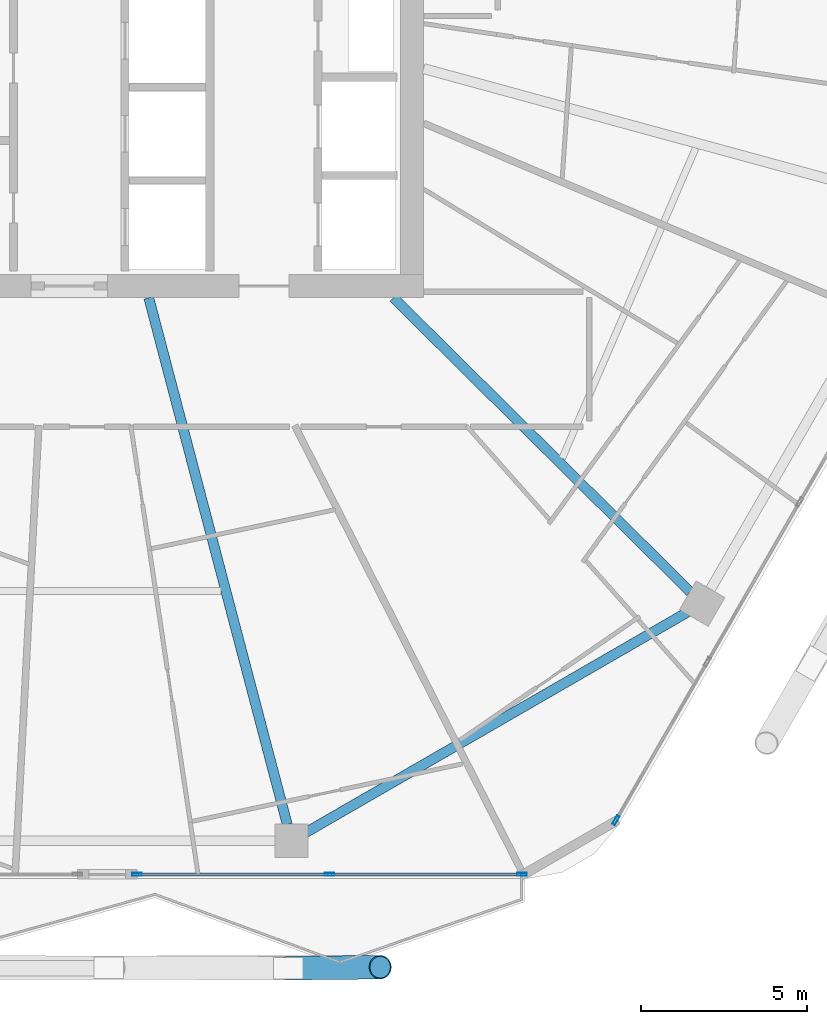
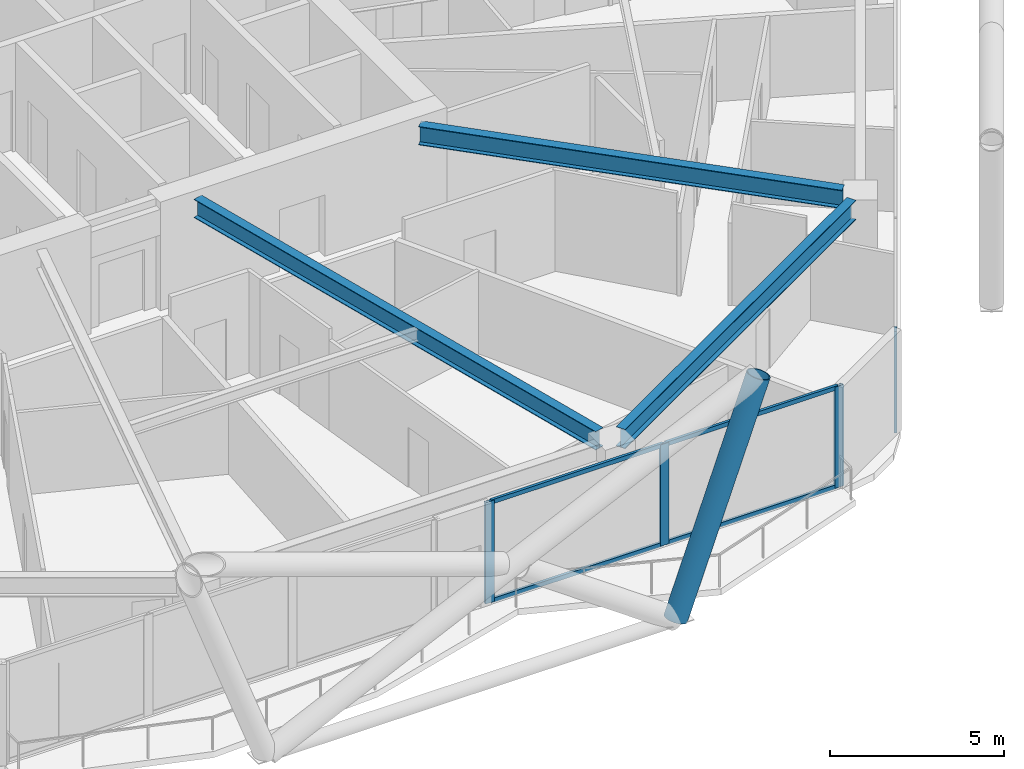
# One storey, part 8 of 29: 9 members, 3 beams, 2 elements without a shape of their own.
"""IFC4 building model written with IfcOpenShell, lengths in metres."""

import ifcopenshell
import ifcopenshell.guid

model = None  # the IFC model being written
_history = None  # IfcOwnerHistory: only IFC2X3 demands one
_inside = {}  # id of a spatial element -> (the spatial element, [elements in it])
_under = {}  # id of a project, library or spatial element -> (it, [spatial elements below it])
_declared = {}  # id of a project -> (the project, [libraries it declares])
_typed = {}  # id of a type object -> (the type object, [elements of that type])
_made_of = {}  # id of a material, layer set ... -> (it, [elements and type objects made of it])


def new_model(schema):
    """Start an empty IFC model of exactly this schema.

    Asked for "IFC4X3", IfcOpenShell would pick the latest addendum, in which some entities
    have other attributes; the version numbers below select the first issue.
    IFC2X3 requires an IfcOwnerHistory on every rooted entity: one is made here for all.
    """
    global model, _history
    if schema == "IFC4X3":
        model = ifcopenshell.file(schema_version=(4, 3, 0, 0))
    else:
        model = ifcopenshell.file(schema=schema)
    _inside.clear()
    _under.clear()
    _declared.clear()
    _typed.clear()
    _made_of.clear()
    _history = None
    if model.schema == "IFC2X3":
        org = make("IfcOrganization", Name="unknown")
        user = make(
            "IfcPersonAndOrganization",
            ThePerson=make("IfcPerson", FamilyName="unknown"),
            TheOrganization=org,
        )
        app = make(
            "IfcApplication",
            ApplicationDeveloper=org,
            Version="unknown",
            ApplicationFullName="unknown",
            ApplicationIdentifier="unknown",
        )
        _history = make(
            "IfcOwnerHistory",
            OwningUser=user,
            OwningApplication=app,
            ChangeAction="ADDED",
            CreationDate=0,
        )
    return model


def make(cls, **values):
    """One entity of the class cls with the attributes given. An attribute that is None is left unset."""
    return model.create_entity(
        cls, **{name: value for name, value in values.items() if value is not None}
    )


def rooted(cls, **values):
    """An entity with a GlobalId (a new one), such as an element, a storey or a relation."""
    return make(cls, GlobalId=ifcopenshell.guid.new(), OwnerHistory=_history, **values)


def si_unit(unit_type, name, prefix=None):
    """IfcSIUnit, for example si_unit("LENGTHUNIT", "METRE", prefix="MILLI")."""
    return make("IfcSIUnit", UnitType=unit_type, Prefix=prefix, Name=name)


def assignment(units):
    """IfcUnitAssignment: the units of a project."""
    return None if units is None else make("IfcUnitAssignment", Units=units)


def point(xyz):
    """IfcCartesianPoint."""
    return None if xyz is None else make("IfcCartesianPoint", Coordinates=xyz)


def direction(xyz):
    """IfcDirection."""
    return None if xyz is None else make("IfcDirection", DirectionRatios=xyz)


def frame(location, z_axis=None, x_axis=None):
    """IfcAxis2Placement3D, a coordinate frame: its origin and axes. An axis left out is left unset."""
    return make(
        "IfcAxis2Placement3D",
        Location=point(location),
        Axis=direction(z_axis),
        RefDirection=direction(x_axis),
    )


def frame_2d(location, x_axis=None):
    """IfcAxis2Placement2D, a coordinate frame in the plane: its origin and x axis."""
    return make(
        "IfcAxis2Placement2D", Location=point(location), RefDirection=direction(x_axis)
    )


def origin():
    """The frame at (0, 0, 0) with its axes left unset."""
    return frame((0.0, 0.0, 0.0))


def origin_2d():
    """The frame at (0, 0) in the plane with its x axis left unset."""
    return frame_2d((0.0, 0.0))


def place(relative_to, where):
    """IfcLocalPlacement: puts the frame where relative to a parent placement (None: the world)."""
    return make(
        "IfcLocalPlacement", PlacementRelTo=relative_to, RelativePlacement=where
    )


def context(
    kind, dimensions, precision=None, world=None, true_north=None, identifier=None
):
    """IfcGeometricRepresentationContext, for example the 3D "Model" context."""
    return make(
        "IfcGeometricRepresentationContext",
        ContextIdentifier=identifier,
        ContextType=kind,
        CoordinateSpaceDimension=dimensions,
        Precision=precision,
        WorldCoordinateSystem=world,
        TrueNorth=true_north,
    )


def subcontext(parent, identifier, kind, view, scale=None):
    """IfcGeometricRepresentationSubContext, for example "Body" below "Model"."""
    return make(
        "IfcGeometricRepresentationSubContext",
        ContextIdentifier=identifier,
        ContextType=kind,
        ParentContext=parent,
        TargetScale=scale,
        TargetView=view,
    )


def project(units=None, contexts=None):
    """IfcProject with its units and contexts."""
    return rooted(
        "IfcProject",
        Name="project",
        RepresentationContexts=contexts,
        UnitsInContext=assignment(units),
    )


def spatial(cls, under=None, at=None, **own):
    """A site, building, storey or space (cls), placed at a placement, below another one or the project."""
    s = rooted(cls, ObjectPlacement=at, **own)
    if under is not None:
        _under.setdefault(under.id(), (under, []))[1].append(s)
    return s


def profile(cls, at=None, kind="AREA", **sizes):
    """A parametric profile (cls). Its sizes go by their IFC names, for example OverallWidth=200.0."""
    return make(cls, ProfileType=kind, Position=at, **sizes)


def hollow_rectangle(**sizes):
    """IfcRectangleHollowProfileDef."""
    return profile("IfcRectangleHollowProfileDef", **sizes)


def hollow_circle(**sizes):
    """IfcCircleHollowProfileDef."""
    return profile("IfcCircleHollowProfileDef", **sizes)


def i_section(**sizes):
    """IfcIShapeProfileDef."""
    return profile("IfcIShapeProfileDef", **sizes)


def extrude(swept, where, along, depth):
    """IfcExtrudedAreaSolid: the profile swept, set in the frame where, extruded along a direction by depth."""
    return make(
        "IfcExtrudedAreaSolid",
        SweptArea=swept,
        Position=where,
        ExtrudedDirection=direction(along),
        Depth=depth,
    )


def shape(context_of_items, identifier, shape_type, items):
    """IfcShapeRepresentation: the items that make up one representation, for example the "Body"."""
    return make(
        "IfcShapeRepresentation",
        ContextOfItems=context_of_items,
        RepresentationIdentifier=identifier,
        RepresentationType=shape_type,
        Items=items,
    )


def material(Name=None, Category=None):
    """IfcMaterial."""
    return make("IfcMaterial", Name=Name, Category=Category)


def material_profile(
    of_material, cross_section, Name=None, Category=None, Priority=None
):
    """IfcMaterialProfile: a cross section and its material."""
    return make(
        "IfcMaterialProfile",
        Name=Name,
        Material=of_material,
        Profile=cross_section,
        Priority=Priority,
        Category=Category,
    )


def profile_set(profiles, Name=None, composite=None):
    """IfcMaterialProfileSet."""
    return make(
        "IfcMaterialProfileSet",
        Name=Name,
        MaterialProfiles=profiles,
        CompositeProfile=composite,
    )


def made_of(thing, what):
    """Note that an element or type object is made of a material, layer set ...; save() writes the relation."""
    if what is not None:
        _made_of.setdefault(what.id(), (what, []))[1].append(thing)
    return thing


def type_object(cls, material=None, **own):
    """A type object (cls), such as IfcWallType, which elements share."""
    return made_of(rooted(cls, **own), material)


def element(
    cls,
    number,
    at=None,
    inside=None,
    cuts=None,
    type_object=None,
    material=None,
    context=None,
    identifier="Body",
    shape_type=None,
    held_by="IfcProductDefinitionShape",
    body=None,
    shapes=None,
    **own,
):
    """One element of the class cls, such as IfcWall. Its Tag is "e" and its number.

    at: its placement. inside: the storey or other place that contains it. cuts: it is an
    opening in that element (IfcRelVoidsElement). A single representation is given by context,
    identifier, shape_type and body (its items); several are given by shapes. held_by: the class
    of the entity that holds the representations. save() writes the other relations.
    """
    e = rooted(cls, Tag="e%d" % number, ObjectPlacement=at, **own)
    if body is not None:
        shapes = [shape(context, identifier, shape_type, body)]
    if shapes is not None:
        e.Representation = make(held_by, Representations=shapes)
    if inside is not None:
        _inside.setdefault(inside.id(), (inside, []))[1].append(e)
    if cuts is not None:
        rooted(
            "IfcRelVoidsElement", RelatingBuildingElement=cuts, RelatedOpeningElement=e
        )
    if type_object is not None:
        _typed.setdefault(type_object.id(), (type_object, []))[1].append(e)
    return made_of(e, material)


def aggregate(whole, parts):
    """IfcRelAggregates: a whole, such as a stair, and the parts it consists of."""
    return rooted("IfcRelAggregates", RelatingObject=whole, RelatedObjects=parts)


def save(model, path):
    """Write the relations noted so far, then the file.

    IfcRelAggregates (storeys below a building ...), IfcRelContainedInSpatialStructure (elements
    in a storey), IfcRelDefinesByType, IfcRelAssociatesMaterial and IfcRelDeclares: one each for
    every whole, place, type object, material and project.
    """
    for whole, parts in _under.values():
        aggregate(whole, parts)
    for where, things in _inside.values():
        rooted(
            "IfcRelContainedInSpatialStructure",
            RelatedElements=things,
            RelatingStructure=where,
        )
    for kind, things in _typed.values():
        rooted("IfcRelDefinesByType", RelatedObjects=things, RelatingType=kind)
    for what, things in _made_of.values():
        rooted("IfcRelAssociatesMaterial", RelatedObjects=things, RelatingMaterial=what)
    for by, libraries in _declared.values():
        rooted("IfcRelDeclares", RelatingContext=by, RelatedDefinitions=libraries)
    model.write(path)


model = new_model("IFC4")

# Units and contexts
model_context = context("Model", 3, precision=1e-05, world=origin(), true_north=direction((0.0, 1.0)))
body_context = subcontext(model_context, "Body", "Model", "MODEL_VIEW")
ifc_project = project(units=[si_unit("LENGTHUNIT", "METRE"), si_unit("AREAUNIT", "SQUARE_METRE"), si_unit("VOLUMEUNIT", "CUBIC_METRE"), si_unit("PLANEANGLEUNIT", "RADIAN"), si_unit("MASSUNIT", "GRAM", prefix="KILO")], contexts=[model_context])

# Site, building, storey
site_placement = place(None, origin())
site = spatial("IfcSite", under=ifc_project, at=site_placement, CompositionType="ELEMENT")
building_placement = place(site_placement, origin())
building = spatial("IfcBuilding", under=site, at=building_placement, Name="Zuhravey Tower", CompositionType="ELEMENT")
storey_placement = place(building_placement, frame((0.0, 0.0, 184.60009765625)))
storey = spatial("IfcBuildingStorey", under=building, at=storey_placement, Name="L46", CompositionType="ELEMENT", Elevation=184.60009765625)

# Curtain wall, member
ifc_material_1 = material(Name="Thermally broken anodised aluminium", Category="aluminium")
curtain_wall_type = type_object("IfcCurtainWallType", Name="Zone 1-2 Residential Curtain Wall CW3", PredefinedType="NOTDEFINED", material=ifc_material_1)
curtain_wall_1_placement = place(storey_placement, origin())
curtain_wall_1 = element("IfcCurtainWall", 1, at=curtain_wall_1_placement, inside=storey, type_object=curtain_wall_type, Name="L46 CW3 CW-L46-F6-1", PredefinedType="NOTDEFINED")
ifc_material_2 = material(Name="Anodised aluminium", Category="aluminium")
ifc_material_profile_1 = material_profile(ifc_material_2, hollow_rectangle(XDim=0.090087890625, YDim=0.284912109375, WallThickness=0.0048828125, at=origin_2d()), Name="ALU-RHS-90x285x5")
ifc_profile_set_1 = profile_set([ifc_material_profile_1], Name="Anodised aluminium")
member_type_1 = type_object("IfcMemberType", Name="Curtain-Wall Mullion 90x180", PredefinedType="MULLION", material=ifc_profile_set_1)
member_1_placement = place(storey_placement, frame((52.63330078125, 6.443359375, 0.0), z_axis=(0.0, 0.0, 1.0), x_axis=(0.866025138215, -0.500000459979, 0.0)))
member_1 = element("IfcMember", 2, at=member_1_placement, type_object=member_type_1, Name="CW3 mullion 6", PredefinedType="MULLION", context=body_context, shape_type="SweptSolid", body=[
    extrude(hollow_rectangle(XDim=0.090087890625, YDim=0.284912109375, WallThickness=0.0048828125, at=origin_2d()), origin(), (0.0, 0.0, 1.0), 3.5498046875),
])
aggregate(curtain_wall_1, [member_1])

# Curtain wall, members
curtain_wall_2_placement = place(storey_placement, origin())
curtain_wall_2 = element("IfcCurtainWall", 3, at=curtain_wall_2_placement, inside=storey, type_object=curtain_wall_type, Name="L46 CW3 CW-L46-F5-1", PredefinedType="NOTDEFINED")
member_2_placement = place(storey_placement, frame((49.816162109375, 4.81689453125, 0.0), z_axis=(0.0, 0.0, 1.0), x_axis=(0.0, -1.0, 0.0)))
member_2 = element("IfcMember", 4, at=member_2_placement, type_object=member_type_1, Name="CW3 mullion 1", PredefinedType="MULLION", context=body_context, shape_type="SweptSolid", body=[
    extrude(hollow_rectangle(XDim=0.090087890625, YDim=0.284912109375, WallThickness=0.0048828125, at=origin_2d()), origin(), (0.0, 0.0, 1.0), 3.5498046875),
])
member_3_placement = place(storey_placement, frame((44.02685546875, 4.81689453125, 0.0), z_axis=(0.0, 0.0, 1.0), x_axis=(0.0, -1.0, 0.0)))
member_3 = element("IfcMember", 5, at=member_3_placement, type_object=member_type_1, Name="CW3 mullion 2", PredefinedType="MULLION", context=body_context, shape_type="SweptSolid", body=[
    extrude(hollow_rectangle(XDim=0.090087890625, YDim=0.284912109375, WallThickness=0.0048828125, at=origin_2d()), origin(), (0.0, 0.0, 1.0), 3.5498046875),
])
member_4_placement = place(storey_placement, frame((38.23779296875, 4.81689453125, 0.0), z_axis=(0.0, 0.0, 1.0), x_axis=(0.0, -1.0, 0.0)))
member_4 = element("IfcMember", 6, at=member_4_placement, type_object=member_type_1, Name="CW3 mullion 3", PredefinedType="MULLION", context=body_context, shape_type="SweptSolid", body=[
    extrude(hollow_rectangle(XDim=0.090087890625, YDim=0.284912109375, WallThickness=0.0048828125, at=origin_2d()), origin(), (0.0, 0.0, 1.0), 3.5498046875),
])
ifc_material_profile_2 = material_profile(ifc_material_2, hollow_rectangle(XDim=0.090087890625, YDim=0.14990234375, WallThickness=0.0048828125, at=origin_2d()), Name="ALU-RHS-90x150x5")
ifc_profile_set_2 = profile_set([ifc_material_profile_2], Name="Anodised aluminium")
member_type_2 = type_object("IfcMemberType", Name="Curtain-Wall Transom 90x150", PredefinedType="USERDEFINED", material=ifc_profile_set_2)
member_5_placement = place(storey_placement, frame((49.77099609375, 4.81689453125, 0.044921875), z_axis=(-1.0, 0.0, 0.0), x_axis=(0.0, -1.0, 0.0)))
member_5 = element("IfcMember", 7, at=member_5_placement, type_object=member_type_2, Name="CW3 transom 1.1", ObjectType="TRANSOM", PredefinedType="USERDEFINED", context=body_context, shape_type="SweptSolid", body=[
    extrude(hollow_rectangle(XDim=0.090087890625, YDim=0.14990234375, WallThickness=0.0048828125, at=origin_2d()), origin(), (0.0, 0.0, 1.0), 5.698974609375),
])
member_6_placement = place(storey_placement, frame((49.77099609375, 4.81689453125, 3.5048828125), z_axis=(-1.0, 0.0, 0.0), x_axis=(0.0, -1.0, 0.0)))
member_6 = element("IfcMember", 8, at=member_6_placement, type_object=member_type_2, Name="CW3 transom 1.2", ObjectType="TRANSOM", PredefinedType="USERDEFINED", context=body_context, shape_type="SweptSolid", body=[
    extrude(hollow_rectangle(XDim=0.090087890625, YDim=0.14990234375, WallThickness=0.0048828125, at=origin_2d()), origin(), (0.0, 0.0, 1.0), 5.698974609375),
])
member_7_placement = place(storey_placement, frame((43.98193359375, 4.81689453125, 0.044921875), z_axis=(-1.0, 0.0, 0.0), x_axis=(0.0, -1.0, 0.0)))
member_7 = element("IfcMember", 9, at=member_7_placement, type_object=member_type_2, Name="CW3 transom 2.1", ObjectType="TRANSOM", PredefinedType="USERDEFINED", context=body_context, shape_type="SweptSolid", body=[
    extrude(hollow_rectangle(XDim=0.090087890625, YDim=0.14990234375, WallThickness=0.0048828125, at=origin_2d()), origin(), (0.0, 0.0, 1.0), 5.69921875),
])
member_8_placement = place(storey_placement, frame((43.98193359375, 4.81689453125, 3.5048828125), z_axis=(-1.0, 0.0, 0.0), x_axis=(0.0, -1.0, 0.0)))
member_8 = element("IfcMember", 10, at=member_8_placement, type_object=member_type_2, Name="CW3 transom 2.2", ObjectType="TRANSOM", PredefinedType="USERDEFINED", context=body_context, shape_type="SweptSolid", body=[
    extrude(hollow_rectangle(XDim=0.090087890625, YDim=0.14990234375, WallThickness=0.0048828125, at=origin_2d()), origin(), (0.0, 0.0, 1.0), 5.69921875),
])
aggregate(curtain_wall_2, [member_2, member_3, member_4, member_5, member_6, member_7, member_8])

# Member
ifc_material_3 = material(Name="Steel SM460", Category="steel")
ifc_material_profile_3 = material_profile(ifc_material_3, hollow_circle(Radius=0.355712890625, WallThickness=0.031982421875, at=origin_2d()), Name="CHS-711.2x32")
ifc_profile_set_3 = profile_set([ifc_material_profile_3], Name="Steel SM460")
member_type_3 = type_object("IfcMemberType", Name="Exoskeleton Zone 2 Diagrid CHS711x32", PredefinedType="BRACE", material=ifc_profile_set_3)
member_9_placement = place(storey_placement, frame((42.788330078125, 1.9970703125, -0.444091796875), z_axis=(0.342856044852, 0.003700976595, 0.939380665801), x_axis=(-0.010793920789, 0.99994174394, 0.0)))
element("IfcMember", 11, at=member_9_placement, inside=storey, type_object=member_type_3, Name="L46 Face 5 Diagrid Brace 4", PredefinedType="BRACE", context=body_context, shape_type="SweptSolid", body=[
    extrude(hollow_circle(Radius=0.355712890625, WallThickness=0.031982421875, at=origin_2d()), origin(), (0.0, 0.0, 1.0), 8.0478515625),
])

# Beams
ifc_material_4 = material(Name="Steel SM355", Category="steel")
ifc_material_profile_4 = material_profile(ifc_material_4, i_section(OverallWidth=0.300048828125, OverallDepth=0.679931640625, WebThickness=0.012939453125, FlangeThickness=0.02197265625, at=origin_2d()), Name="H-680x300x13x22")
ifc_profile_set_4 = profile_set([ifc_material_profile_4], Name="Steel SM355")
beam_type_1 = type_object("IfcBeamType", Name="Perimeter Ring Beam H680x300", PredefinedType="BEAM", material=ifc_profile_set_4)
beam_1_placement = place(storey_placement, frame((43.317626953125, 6.078369140625, 3.2099609375), z_axis=(0.866022923061, 0.500004296715, 0.0), x_axis=(-0.500004296715, 0.866022923061, 0.0)))
element("IfcBeam", 12, at=beam_1_placement, inside=storey, type_object=beam_type_1, Name="L46 PB2 BM-L46-PB-10", PredefinedType="BEAM", context=body_context, shape_type="SweptSolid", body=[
    extrude(i_section(OverallWidth=0.300048828125, OverallDepth=0.679931640625, WebThickness=0.012939453125, FlangeThickness=0.02197265625, at=origin_2d()), origin(), (0.0, 0.0, 1.0), 13.2470703125),
])
ifc_material_profile_5 = material_profile(ifc_material_4, i_section(OverallWidth=0.300048828125, OverallDepth=0.64990234375, WebThickness=0.012939453125, FlangeThickness=0.02197265625, at=origin_2d()), Name="H-650x300x13x22")
ifc_profile_set_5 = profile_set([ifc_material_profile_5], Name="Steel SM355")
beam_type_2 = type_object("IfcBeamType", Name="Radial Primary Girder H650x300", PredefinedType="BEAM", material=ifc_profile_set_5)
beam_2_placement = place(storey_placement, frame((38.5908203125, 22.14697265625, 3.224853515625), z_axis=(0.254300244998, -0.967125320418, 0.0), x_axis=(0.967125320418, 0.254300244998, 0.0)))
element("IfcBeam", 13, at=beam_2_placement, inside=storey, type_object=beam_type_2, Name="L46 RG2 BM-L46-RAD-10", PredefinedType="BEAM", context=body_context, shape_type="SweptSolid", body=[
    extrude(i_section(OverallWidth=0.300048828125, OverallDepth=0.64990234375, WebThickness=0.012939453125, FlangeThickness=0.02197265625, at=origin_2d()), origin(), (0.0, 0.0, 1.0), 16.371826171875),
])
beam_3_placement = place(storey_placement, frame((45.945556640625, 22.14697265625, 3.224853515625), z_axis=(0.71040353357, -0.703794586148, 0.0), x_axis=(0.703794586148, 0.71040353357, 0.0)))
element("IfcBeam", 14, at=beam_3_placement, inside=storey, type_object=beam_type_2, Name="L46 RG2 BM-L46-RAD-11", PredefinedType="BEAM", context=body_context, shape_type="SweptSolid", body=[
    extrude(i_section(OverallWidth=0.300048828125, OverallDepth=0.64990234375, WebThickness=0.012939453125, FlangeThickness=0.02197265625, at=origin_2d()), origin(), (0.0, 0.0, 1.0), 12.559814453125),
])

save(model, "model.ifc")
